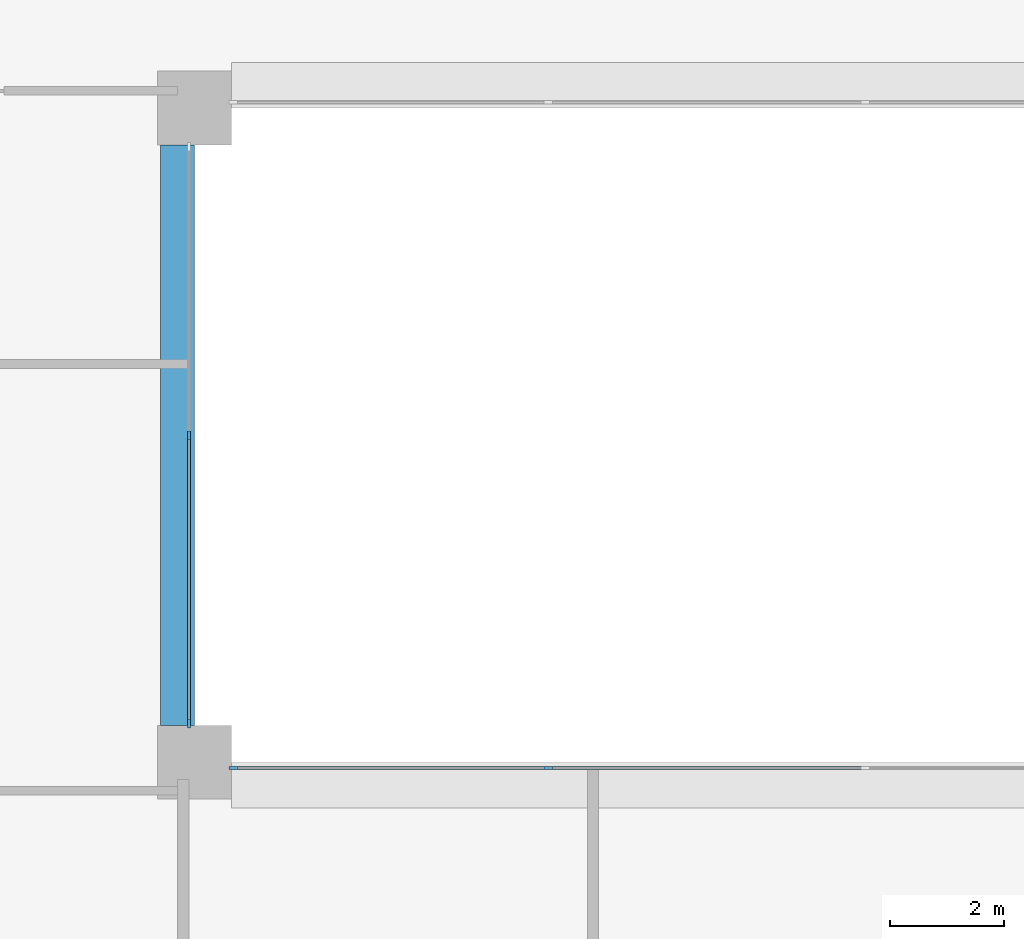
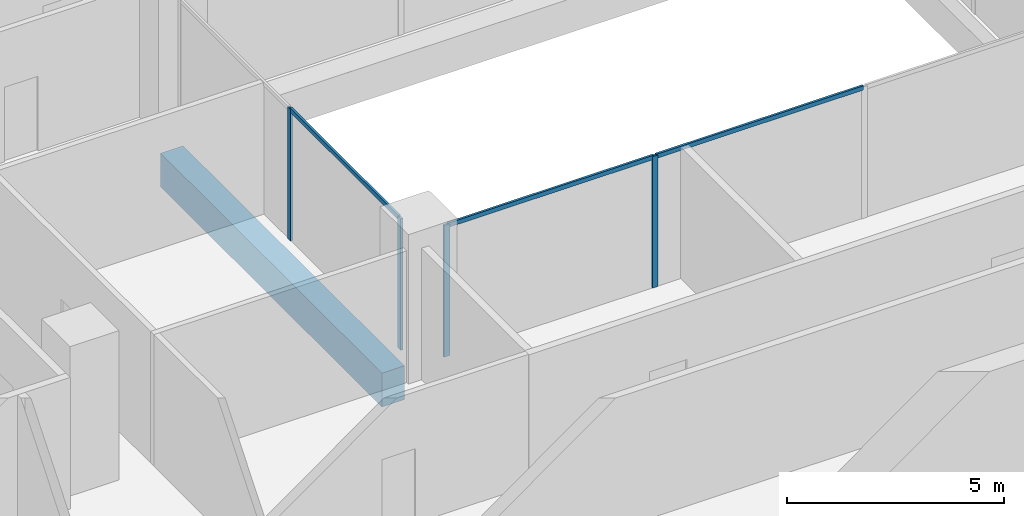
# One storey, part 4 of 20: 7 members, 1 beam, 2 elements without a shape of their own.
"""IFC4 building model written with IfcOpenShell, lengths in metres."""

from ifc_helpers import new_model, si_unit, direction, frame, origin, origin_2d, place, context, subcontext, project, spatial, rectangle, extrude, material, layer, layer_set, material_profile, profile_set, type_object, element, aggregate, save


model = new_model("IFC4")

# Units and contexts
model_context = context("Model", 3, precision=1e-05, world=origin(), true_north=direction((0.0, 1.0)))
body_context = subcontext(model_context, "Body", "Model", "MODEL_VIEW")
ifc_project = project(units=[si_unit("LENGTHUNIT", "METRE"), si_unit("AREAUNIT", "SQUARE_METRE"), si_unit("VOLUMEUNIT", "CUBIC_METRE"), si_unit("PLANEANGLEUNIT", "RADIAN"), si_unit("MASSUNIT", "GRAM", prefix="KILO")], contexts=[model_context])

# Site, building, storey
site_placement = place(None, origin())
site = spatial("IfcSite", under=ifc_project, at=site_placement, CompositionType="ELEMENT")
building_placement = place(site_placement, origin())
building = spatial("IfcBuilding", under=site, at=building_placement, Name="Brigalow Station Residences", CompositionType="ELEMENT")
storey_placement = place(building_placement, frame((0.0, 0.0, 137.10009765625)))
storey = spatial("IfcBuildingStorey", under=building, at=storey_placement, Name="L39", CompositionType="ELEMENT", Elevation=137.10009765625)

# Beam
ifc_material_1 = material(Name="Concrete C65", Category="concrete")
ifc_material_profile_1 = material_profile(ifc_material_1, rectangle(XDim=0.60009765625, YDim=0.949951171875, at=origin_2d()), Name="RC600x950")
ifc_profile_set_1 = profile_set([ifc_material_profile_1], Name="Concrete C65")
beam_type = type_object("IfcBeamType", Name="ATRIUM EDGE GIRDER 600x950 C65", PredefinedType="BEAM", material=ifc_profile_set_1)
beam_placement = place(storey_placement, frame((26.699951171875, 24.64990234375, -0.97509765625), z_axis=(0.0, 1.0, 0.0), x_axis=(-1.0, 0.0, 0.0)))
element("IfcBeam", 1, at=beam_placement, inside=storey, type_object=beam_type, Name="ATRIUM EDGE GIRDER 3 L39", PredefinedType="BEAM", context=body_context, shape_type="SweptSolid", body=[
    extrude(rectangle(XDim=0.60009765625, YDim=0.949951171875, at=origin_2d()), origin(), (0.0, 0.0, 1.0), 10.2001953125),
])

# Curtain wall, members
ifc_material_2 = material(Name="Aluminium", Category="aluminium")
ifc_layer = layer(ifc_material_2, 0.14990234375)
ifc_layer_set = layer_set([ifc_layer], Name="ATRIUM FIRE-RATED GLAZING CURTAIN WALL")
curtain_wall_type = type_object("IfcCurtainWallType", Name="ATRIUM FIRE-RATED GLAZING CURTAIN WALL", PredefinedType="NOTDEFINED", material=ifc_layer_set)
curtain_wall_1_placement = place(storey_placement, origin())
curtain_wall_1 = element("IfcCurtainWall", 2, at=curtain_wall_1_placement, inside=storey, type_object=curtain_wall_type, Name="L39/cw/atrium-S", PredefinedType="NOTDEFINED")
ifc_material_3 = material(Name="Aluminium", Category="aluminium")
ifc_material_profile_2 = material_profile(ifc_material_3, rectangle(XDim=0.06005859375, YDim=0.14990234375, at=origin_2d()), Name="ATRIUM FIRE-RATED GLAZING MULLION 60x150")
ifc_profile_set_2 = profile_set([ifc_material_profile_2], Name="Aluminium")
member_type_1 = type_object("IfcMemberType", Name="ATRIUM FIRE-RATED GLAZING MULLION 60x150", PredefinedType="MULLION", material=ifc_profile_set_2)
member_1_placement = place(storey_placement, frame((27.679931640625, 23.89990234375, 0.0), z_axis=(0.0, 0.0, 1.0), x_axis=(0.0, 1.0, 0.0)))
member_1 = element("IfcMember", 3, at=member_1_placement, type_object=member_type_1, Name="L39/cw/atrium-S/M00", PredefinedType="MULLION", context=body_context, shape_type="SweptSolid", body=[
    extrude(rectangle(XDim=0.06005859375, YDim=0.14990234375, at=origin_2d()), origin(), (0.0, 0.0, 1.0), 3.699951171875),
])
member_2_placement = place(storey_placement, frame((33.216796875, 23.89990234375, 0.0), z_axis=(0.0, 0.0, 1.0), x_axis=(0.0, 1.0, 0.0)))
member_2 = element("IfcMember", 4, at=member_2_placement, type_object=member_type_1, Name="L39/cw/atrium-S/M01", PredefinedType="MULLION", context=body_context, shape_type="SweptSolid", body=[
    extrude(rectangle(XDim=0.06005859375, YDim=0.14990234375, at=origin_2d()), origin(), (0.0, 0.0, 1.0), 3.699951171875),
])

curtain_wall_2_placement = place(storey_placement, origin())
curtain_wall_2 = element("IfcCurtainWall", 5, at=curtain_wall_2_placement, inside=storey, type_object=curtain_wall_type, Name="L39/cw/atrium-W", PredefinedType="NOTDEFINED")
member_3_placement = place(storey_placement, frame((26.89990234375, 29.75, 0.0), z_axis=(0.0, 0.0, 1.0), x_axis=(1.0, 0.0, 0.0)))
member_3 = element("IfcMember", 6, at=member_3_placement, type_object=member_type_1, Name="L39/cw/atrium-W/M01", PredefinedType="MULLION", context=body_context, shape_type="SweptSolid", body=[
    extrude(rectangle(XDim=0.06005859375, YDim=0.14990234375, at=origin_2d()), origin(), (0.0, 0.0, 1.0), 3.699951171875),
])
member_4_placement = place(storey_placement, frame((26.89990234375, 24.679931640625, 0.0), z_axis=(0.0, 0.0, 1.0), x_axis=(1.0, 0.0, 0.0)))
member_4 = element("IfcMember", 7, at=member_4_placement, type_object=member_type_1, Name="L39/cw/atrium-W/M02", PredefinedType="MULLION", context=body_context, shape_type="SweptSolid", body=[
    extrude(rectangle(XDim=0.06005859375, YDim=0.14990234375, at=origin_2d()), origin(), (0.0, 0.0, 1.0), 3.699951171875),
])

# Member
ifc_material_4 = material(Name="Aluminium", Category="aluminium")
ifc_material_profile_3 = material_profile(ifc_material_4, rectangle(XDim=0.06005859375, YDim=0.1201171875, at=origin_2d()), Name="ATRIUM FIRE-RATED GLAZING TRANSOM 60x120")
ifc_profile_set_3 = profile_set([ifc_material_profile_3], Name="Aluminium")
member_type_2 = type_object("IfcMemberType", Name="ATRIUM FIRE-RATED GLAZING TRANSOM 60x120", PredefinedType="USERDEFINED", material=ifc_profile_set_3)
member_5_placement = place(storey_placement, frame((27.7099609375, 23.89990234375, 3.669921875), z_axis=(1.0, 0.0, 0.0), x_axis=(0.0, 1.0, 0.0)))
member_5 = element("IfcMember", 8, at=member_5_placement, type_object=member_type_2, Name="L39/cw/atrium-S/T00-00", ObjectType="TRANSOM", PredefinedType="USERDEFINED", context=body_context, shape_type="SweptSolid", body=[
    extrude(rectangle(XDim=0.06005859375, YDim=0.1201171875, at=origin_2d()), origin(), (0.0, 0.0, 1.0), 5.476806640625),
])

member_6_placement = place(storey_placement, frame((33.24658203125, 23.89990234375, 3.669921875), z_axis=(1.0, 0.0, 0.0), x_axis=(0.0, 1.0, 0.0)))
member_6 = element("IfcMember", 9, at=member_6_placement, type_object=member_type_2, Name="L39/cw/atrium-S/T01-00", ObjectType="TRANSOM", PredefinedType="USERDEFINED", context=body_context, shape_type="SweptSolid", body=[
    extrude(rectangle(XDim=0.06005859375, YDim=0.1201171875, at=origin_2d()), origin(), (0.0, 0.0, 1.0), 5.5068359375),
])

aggregate(curtain_wall_1, [member_1, member_2, member_5, member_6])

member_7_placement = place(storey_placement, frame((26.89990234375, 29.719970703125, 3.669921875), z_axis=(0.0, -1.0, 0.0), x_axis=(1.0, 0.0, 0.0)))
member_7 = element("IfcMember", 10, at=member_7_placement, type_object=member_type_2, Name="L39/cw/atrium-W/T01-00", ObjectType="TRANSOM", PredefinedType="USERDEFINED", context=body_context, shape_type="SweptSolid", body=[
    extrude(rectangle(XDim=0.06005859375, YDim=0.1201171875, at=origin_2d()), origin(), (0.0, 0.0, 1.0), 5.010009765625),
])

aggregate(curtain_wall_2, [member_3, member_4, member_7])

save(model, "model.ifc")
